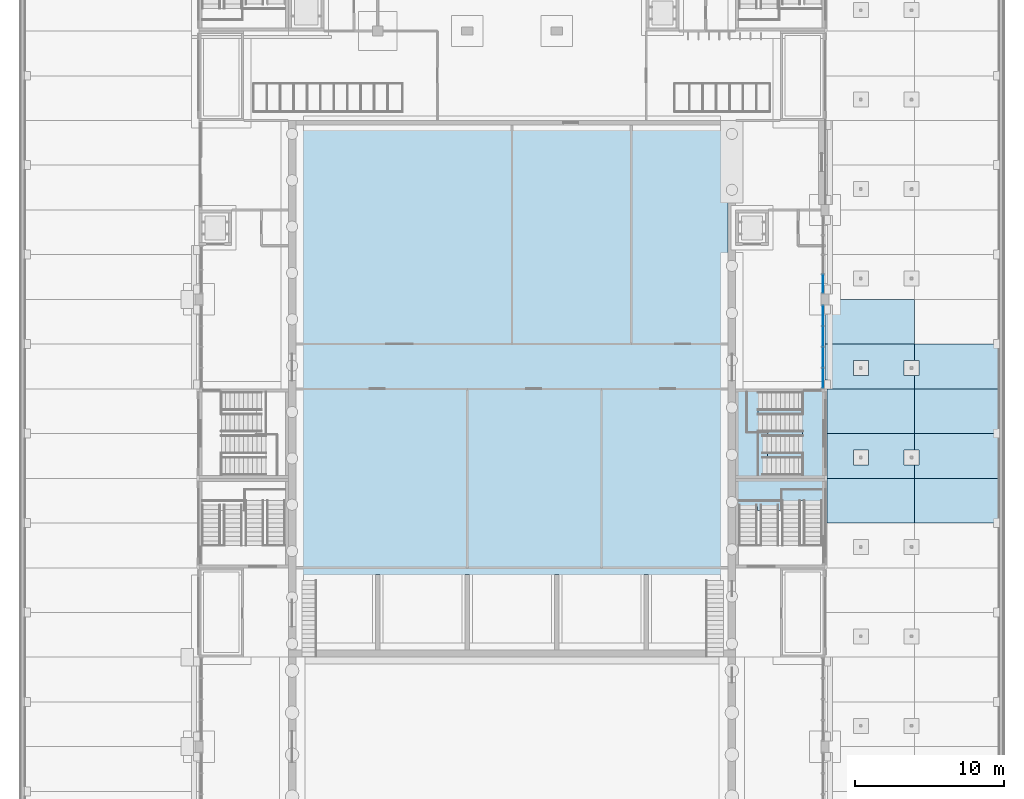
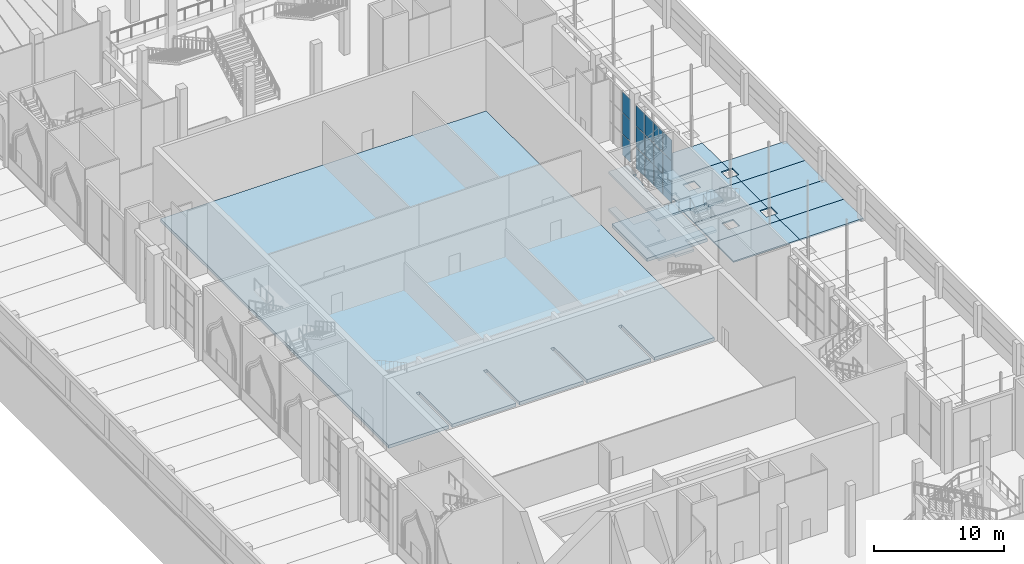
# One storey, part 34 of 95: 16 slabs, 15 plates, 4 elements without a shape of their own.
"""IFC4 building model written with IfcOpenShell, lengths in metres."""

import ifcopenshell
import ifcopenshell.guid

model = None  # the IFC model being written
_history = None  # IfcOwnerHistory: only IFC2X3 demands one
_inside = {}  # id of a spatial element -> (the spatial element, [elements in it])
_under = {}  # id of a project, library or spatial element -> (it, [spatial elements below it])
_declared = {}  # id of a project -> (the project, [libraries it declares])
_typed = {}  # id of a type object -> (the type object, [elements of that type])
_made_of = {}  # id of a material, layer set ... -> (it, [elements and type objects made of it])


def new_model(schema):
    """Start an empty IFC model of exactly this schema.

    Asked for "IFC4X3", IfcOpenShell would pick the latest addendum, in which some entities
    have other attributes; the version numbers below select the first issue.
    IFC2X3 requires an IfcOwnerHistory on every rooted entity: one is made here for all.
    """
    global model, _history
    if schema == "IFC4X3":
        model = ifcopenshell.file(schema_version=(4, 3, 0, 0))
    else:
        model = ifcopenshell.file(schema=schema)
    _inside.clear()
    _under.clear()
    _declared.clear()
    _typed.clear()
    _made_of.clear()
    _history = None
    if model.schema == "IFC2X3":
        org = make("IfcOrganization", Name="unknown")
        user = make(
            "IfcPersonAndOrganization",
            ThePerson=make("IfcPerson", FamilyName="unknown"),
            TheOrganization=org,
        )
        app = make(
            "IfcApplication",
            ApplicationDeveloper=org,
            Version="unknown",
            ApplicationFullName="unknown",
            ApplicationIdentifier="unknown",
        )
        _history = make(
            "IfcOwnerHistory",
            OwningUser=user,
            OwningApplication=app,
            ChangeAction="ADDED",
            CreationDate=0,
        )
    return model


def make(cls, **values):
    """One entity of the class cls with the attributes given. An attribute that is None is left unset."""
    return model.create_entity(
        cls, **{name: value for name, value in values.items() if value is not None}
    )


def rooted(cls, **values):
    """An entity with a GlobalId (a new one), such as an element, a storey or a relation."""
    return make(cls, GlobalId=ifcopenshell.guid.new(), OwnerHistory=_history, **values)


def si_unit(unit_type, name, prefix=None):
    """IfcSIUnit, for example si_unit("LENGTHUNIT", "METRE", prefix="MILLI")."""
    return make("IfcSIUnit", UnitType=unit_type, Prefix=prefix, Name=name)


def assignment(units):
    """IfcUnitAssignment: the units of a project."""
    return None if units is None else make("IfcUnitAssignment", Units=units)


def point(xyz):
    """IfcCartesianPoint."""
    return None if xyz is None else make("IfcCartesianPoint", Coordinates=xyz)


def direction(xyz):
    """IfcDirection."""
    return None if xyz is None else make("IfcDirection", DirectionRatios=xyz)


def frame(location, z_axis=None, x_axis=None):
    """IfcAxis2Placement3D, a coordinate frame: its origin and axes. An axis left out is left unset."""
    return make(
        "IfcAxis2Placement3D",
        Location=point(location),
        Axis=direction(z_axis),
        RefDirection=direction(x_axis),
    )


def frame_2d(location, x_axis=None):
    """IfcAxis2Placement2D, a coordinate frame in the plane: its origin and x axis."""
    return make(
        "IfcAxis2Placement2D", Location=point(location), RefDirection=direction(x_axis)
    )


def origin():
    """The frame at (0, 0, 0) with its axes left unset."""
    return frame((0.0, 0.0, 0.0))


def origin_2d():
    """The frame at (0, 0) in the plane with its x axis left unset."""
    return frame_2d((0.0, 0.0))


def place(relative_to, where):
    """IfcLocalPlacement: puts the frame where relative to a parent placement (None: the world)."""
    return make(
        "IfcLocalPlacement", PlacementRelTo=relative_to, RelativePlacement=where
    )


def context(
    kind, dimensions, precision=None, world=None, true_north=None, identifier=None
):
    """IfcGeometricRepresentationContext, for example the 3D "Model" context."""
    return make(
        "IfcGeometricRepresentationContext",
        ContextIdentifier=identifier,
        ContextType=kind,
        CoordinateSpaceDimension=dimensions,
        Precision=precision,
        WorldCoordinateSystem=world,
        TrueNorth=true_north,
    )


def subcontext(parent, identifier, kind, view, scale=None):
    """IfcGeometricRepresentationSubContext, for example "Body" below "Model"."""
    return make(
        "IfcGeometricRepresentationSubContext",
        ContextIdentifier=identifier,
        ContextType=kind,
        ParentContext=parent,
        TargetScale=scale,
        TargetView=view,
    )


def project(units=None, contexts=None):
    """IfcProject with its units and contexts."""
    return rooted(
        "IfcProject",
        Name="project",
        RepresentationContexts=contexts,
        UnitsInContext=assignment(units),
    )


def spatial(cls, under=None, at=None, **own):
    """A site, building, storey or space (cls), placed at a placement, below another one or the project."""
    s = rooted(cls, ObjectPlacement=at, **own)
    if under is not None:
        _under.setdefault(under.id(), (under, []))[1].append(s)
    return s


def polyline(points):
    """IfcPolyline through the points."""
    return make("IfcPolyline", Points=[point(p) for p in points])


def profile(cls, at=None, kind="AREA", **sizes):
    """A parametric profile (cls). Its sizes go by their IFC names, for example OverallWidth=200.0."""
    return make(cls, ProfileType=kind, Position=at, **sizes)


def rectangle(**sizes):
    """IfcRectangleProfileDef."""
    return profile("IfcRectangleProfileDef", **sizes)


def outline(outer, holes=None, kind="AREA"):
    """IfcArbitraryClosedProfileDef: a profile drawn as a closed curve; with holes, ...WithVoids."""
    if holes is None:
        return make("IfcArbitraryClosedProfileDef", ProfileType=kind, OuterCurve=outer)
    return make(
        "IfcArbitraryProfileDefWithVoids",
        ProfileType=kind,
        OuterCurve=outer,
        InnerCurves=holes,
    )


def extrude(swept, where, along, depth):
    """IfcExtrudedAreaSolid: the profile swept, set in the frame where, extruded along a direction by depth."""
    return make(
        "IfcExtrudedAreaSolid",
        SweptArea=swept,
        Position=where,
        ExtrudedDirection=direction(along),
        Depth=depth,
    )


def shape(context_of_items, identifier, shape_type, items):
    """IfcShapeRepresentation: the items that make up one representation, for example the "Body"."""
    return make(
        "IfcShapeRepresentation",
        ContextOfItems=context_of_items,
        RepresentationIdentifier=identifier,
        RepresentationType=shape_type,
        Items=items,
    )


def material(Name=None, Category=None):
    """IfcMaterial."""
    return make("IfcMaterial", Name=Name, Category=Category)


def layer(
    of_material, thickness, ventilated=None, Name=None, Category=None, Priority=None
):
    """IfcMaterialLayer: one layer of a wall or slab, of a material (None: an air gap)."""
    return make(
        "IfcMaterialLayer",
        Material=of_material,
        LayerThickness=thickness,
        IsVentilated=ventilated,
        Name=Name,
        Category=Category,
        Priority=Priority,
    )


def layer_set(layers, Name=None):
    """IfcMaterialLayerSet."""
    return make("IfcMaterialLayerSet", MaterialLayers=layers, LayerSetName=Name)


def made_of(thing, what):
    """Note that an element or type object is made of a material, layer set ...; save() writes the relation."""
    if what is not None:
        _made_of.setdefault(what.id(), (what, []))[1].append(thing)
    return thing


def type_object(cls, material=None, **own):
    """A type object (cls), such as IfcWallType, which elements share."""
    return made_of(rooted(cls, **own), material)


def element(
    cls,
    number,
    at=None,
    inside=None,
    cuts=None,
    type_object=None,
    material=None,
    context=None,
    identifier="Body",
    shape_type=None,
    held_by="IfcProductDefinitionShape",
    body=None,
    shapes=None,
    **own,
):
    """One element of the class cls, such as IfcWall. Its Tag is "e" and its number.

    at: its placement. inside: the storey or other place that contains it. cuts: it is an
    opening in that element (IfcRelVoidsElement). A single representation is given by context,
    identifier, shape_type and body (its items); several are given by shapes. held_by: the class
    of the entity that holds the representations. save() writes the other relations.
    """
    e = rooted(cls, Tag="e%d" % number, ObjectPlacement=at, **own)
    if body is not None:
        shapes = [shape(context, identifier, shape_type, body)]
    if shapes is not None:
        e.Representation = make(held_by, Representations=shapes)
    if inside is not None:
        _inside.setdefault(inside.id(), (inside, []))[1].append(e)
    if cuts is not None:
        rooted(
            "IfcRelVoidsElement", RelatingBuildingElement=cuts, RelatedOpeningElement=e
        )
    if type_object is not None:
        _typed.setdefault(type_object.id(), (type_object, []))[1].append(e)
    return made_of(e, material)


def aggregate(whole, parts):
    """IfcRelAggregates: a whole, such as a stair, and the parts it consists of."""
    return rooted("IfcRelAggregates", RelatingObject=whole, RelatedObjects=parts)


def save(model, path):
    """Write the relations noted so far, then the file.

    IfcRelAggregates (storeys below a building ...), IfcRelContainedInSpatialStructure (elements
    in a storey), IfcRelDefinesByType, IfcRelAssociatesMaterial and IfcRelDeclares: one each for
    every whole, place, type object, material and project.
    """
    for whole, parts in _under.values():
        aggregate(whole, parts)
    for where, things in _inside.values():
        rooted(
            "IfcRelContainedInSpatialStructure",
            RelatedElements=things,
            RelatingStructure=where,
        )
    for kind, things in _typed.values():
        rooted("IfcRelDefinesByType", RelatedObjects=things, RelatingType=kind)
    for what, things in _made_of.values():
        rooted("IfcRelAssociatesMaterial", RelatedObjects=things, RelatingMaterial=what)
    for by, libraries in _declared.values():
        rooted("IfcRelDeclares", RelatingContext=by, RelatedDefinitions=libraries)
    model.write(path)


model = new_model("IFC4")

# Units and contexts
model_context = context("Model", 3, precision=1e-05, world=origin(), true_north=direction((0.0, 1.0)))
body_context = subcontext(model_context, "Body", "Model", "MODEL_VIEW")
ifc_project = project(units=[si_unit("LENGTHUNIT", "METRE"), si_unit("AREAUNIT", "SQUARE_METRE"), si_unit("VOLUMEUNIT", "CUBIC_METRE"), si_unit("PLANEANGLEUNIT", "RADIAN"), si_unit("MASSUNIT", "GRAM", prefix="KILO")], contexts=[model_context])

# Site, building, storey
site_placement = place(None, origin())
site = spatial("IfcSite", under=ifc_project, at=site_placement, CompositionType="ELEMENT")
building_placement = place(site_placement, origin())
building = spatial("IfcBuilding", under=site, at=building_placement, Name="Saffron Lane Theatres", CompositionType="ELEMENT")
storey_placement = place(building_placement, origin())
storey = spatial("IfcBuildingStorey", under=building, at=storey_placement, Name="L00", CompositionType="ELEMENT", Elevation=0.0)

# Curtain wall, plates
ifc_material_1 = material(Name="Aluminium", Category="aluminium")
curtain_wall_type_1 = type_object("IfcCurtainWallType", Name="EX-CURTAIN WALL 5250x6050x200", PredefinedType="NOTDEFINED", material=ifc_material_1)
curtain_wall_1_placement = place(storey_placement, origin())
curtain_wall_1 = element("IfcCurtainWall", 1, at=curtain_wall_1_placement, inside=storey, type_object=curtain_wall_type_1, Name="Curtain wall L00 05", PredefinedType="NOTDEFINED")
ifc_material_2 = material(Name="Glass", Category="glass")
ifc_layer_1 = layer(ifc_material_2, 0.031982421875)
ifc_layer_set_1 = layer_set([ifc_layer_1], Name="Glass")
plate_type = type_object("IfcPlateType", Name="EX-CW PANEL GLAZING 32", PredefinedType="CURTAIN_PANEL", material=ifc_layer_set_1)
plate_1_placement = place(storey_placement, frame((53.85009765625, 79.046142578125, 0.06005859375), z_axis=(0.0, 0.0, 1.0), x_axis=(0.0, -1.0, 0.0)))
plate_1 = element("IfcPlate", 2, at=plate_1_placement, type_object=plate_type, Name="CW-00-05 panel 4.1", PredefinedType="CURTAIN_PANEL", context=body_context, shape_type="SweptSolid", body=[
    extrude(rectangle(XDim=1.222412109375, YDim=0.031982421875, at=origin_2d()), origin(), (0.0, 0.0, 1.0), 1.926513671875),
])
plate_2_placement = place(storey_placement, frame((53.85009765625, 79.046142578125, 2.04638671875), z_axis=(0.0, 0.0, 1.0), x_axis=(0.0, -1.0, 0.0)))
plate_2 = element("IfcPlate", 3, at=plate_2_placement, type_object=plate_type, Name="CW-00-05 panel 4.2", PredefinedType="CURTAIN_PANEL", context=body_context, shape_type="SweptSolid", body=[
    extrude(rectangle(XDim=1.222412109375, YDim=0.031982421875, at=origin_2d()), origin(), (0.0, 0.0, 1.0), 1.956787109375),
])
plate_3_placement = place(storey_placement, frame((53.85009765625, 79.046142578125, 4.0634765625), z_axis=(0.0, 0.0, 1.0), x_axis=(0.0, -1.0, 0.0)))
plate_3 = element("IfcPlate", 4, at=plate_3_placement, type_object=plate_type, Name="CW-00-05 panel 4.3", PredefinedType="CURTAIN_PANEL", context=body_context, shape_type="SweptSolid", body=[
    extrude(rectangle(XDim=1.222412109375, YDim=0.031982421875, at=origin_2d()), origin(), (0.0, 0.0, 1.0), 1.926513671875),
])
aggregate(curtain_wall_1, [plate_1, plate_2, plate_3])

ifc_material_3 = material(Name="Aluminium", Category="aluminium")
curtain_wall_type_2 = type_object("IfcCurtainWallType", Name="EX-CURTAIN WALL 5620x6050x200", PredefinedType="NOTDEFINED", material=ifc_material_3)
curtain_wall_2_placement = place(storey_placement, origin())
curtain_wall_2 = element("IfcCurtainWall", 5, at=curtain_wall_2_placement, inside=storey, type_object=curtain_wall_type_2, Name="Curtain wall L00 06", PredefinedType="NOTDEFINED")
plate_4_placement = place(storey_placement, frame((53.85009765625, 76.906982421875, 0.06005859375), z_axis=(0.0, 0.0, 1.0), x_axis=(0.0, -1.0, 0.0)))
plate_4 = element("IfcPlate", 6, at=plate_4_placement, type_object=plate_type, Name="CW-00-06 panel 1.1", PredefinedType="CURTAIN_PANEL", context=body_context, shape_type="SweptSolid", body=[
    extrude(rectangle(XDim=1.316162109375, YDim=0.031982421875, at=origin_2d()), origin(), (0.0, 0.0, 1.0), 1.926513671875),
])
plate_5_placement = place(storey_placement, frame((53.85009765625, 76.906982421875, 2.04638671875), z_axis=(0.0, 0.0, 1.0), x_axis=(0.0, -1.0, 0.0)))
plate_5 = element("IfcPlate", 7, at=plate_5_placement, type_object=plate_type, Name="CW-00-06 panel 1.2", PredefinedType="CURTAIN_PANEL", context=body_context, shape_type="SweptSolid", body=[
    extrude(rectangle(XDim=1.316162109375, YDim=0.031982421875, at=origin_2d()), origin(), (0.0, 0.0, 1.0), 1.956787109375),
])
plate_6_placement = place(storey_placement, frame((53.85009765625, 76.906982421875, 4.0634765625), z_axis=(0.0, 0.0, 1.0), x_axis=(0.0, -1.0, 0.0)))
plate_6 = element("IfcPlate", 8, at=plate_6_placement, type_object=plate_type, Name="CW-00-06 panel 1.3", PredefinedType="CURTAIN_PANEL", context=body_context, shape_type="SweptSolid", body=[
    extrude(rectangle(XDim=1.316162109375, YDim=0.031982421875, at=origin_2d()), origin(), (0.0, 0.0, 1.0), 1.926513671875),
])
plate_7_placement = place(storey_placement, frame((53.85009765625, 75.515625, 0.06005859375), z_axis=(0.0, 0.0, 1.0), x_axis=(0.0, -1.0, 0.0)))
plate_7 = element("IfcPlate", 9, at=plate_7_placement, type_object=plate_type, Name="CW-00-06 panel 2.1", PredefinedType="CURTAIN_PANEL", context=body_context, shape_type="SweptSolid", body=[
    extrude(rectangle(XDim=1.34619140625, YDim=0.031982421875, at=origin_2d()), origin(), (0.0, 0.0, 1.0), 1.926513671875),
])
plate_8_placement = place(storey_placement, frame((53.85009765625, 75.515625, 2.04638671875), z_axis=(0.0, 0.0, 1.0), x_axis=(0.0, -1.0, 0.0)))
plate_8 = element("IfcPlate", 10, at=plate_8_placement, type_object=plate_type, Name="CW-00-06 panel 2.2", PredefinedType="CURTAIN_PANEL", context=body_context, shape_type="SweptSolid", body=[
    extrude(rectangle(XDim=1.34619140625, YDim=0.031982421875, at=origin_2d()), origin(), (0.0, 0.0, 1.0), 1.956787109375),
])
plate_9_placement = place(storey_placement, frame((53.85009765625, 75.515625, 4.0634765625), z_axis=(0.0, 0.0, 1.0), x_axis=(0.0, -1.0, 0.0)))
plate_9 = element("IfcPlate", 11, at=plate_9_placement, type_object=plate_type, Name="CW-00-06 panel 2.3", PredefinedType="CURTAIN_PANEL", context=body_context, shape_type="SweptSolid", body=[
    extrude(rectangle(XDim=1.34619140625, YDim=0.031982421875, at=origin_2d()), origin(), (0.0, 0.0, 1.0), 1.926513671875),
])
plate_10_placement = place(storey_placement, frame((53.85009765625, 74.109375, 0.06005859375), z_axis=(0.0, 0.0, 1.0), x_axis=(0.0, -1.0, 0.0)))
plate_10 = element("IfcPlate", 12, at=plate_10_placement, type_object=plate_type, Name="CW-00-06 panel 3.1", PredefinedType="CURTAIN_PANEL", context=body_context, shape_type="SweptSolid", body=[
    extrude(rectangle(XDim=1.34619140625, YDim=0.031982421875, at=origin_2d()), origin(), (0.0, 0.0, 1.0), 1.926513671875),
])
plate_11_placement = place(storey_placement, frame((53.85009765625, 74.109375, 2.04638671875), z_axis=(0.0, 0.0, 1.0), x_axis=(0.0, -1.0, 0.0)))
plate_11 = element("IfcPlate", 13, at=plate_11_placement, type_object=plate_type, Name="CW-00-06 panel 3.2", PredefinedType="CURTAIN_PANEL", context=body_context, shape_type="SweptSolid", body=[
    extrude(rectangle(XDim=1.34619140625, YDim=0.031982421875, at=origin_2d()), origin(), (0.0, 0.0, 1.0), 1.956787109375),
])
plate_12_placement = place(storey_placement, frame((53.85009765625, 74.109375, 4.0634765625), z_axis=(0.0, 0.0, 1.0), x_axis=(0.0, -1.0, 0.0)))
plate_12 = element("IfcPlate", 14, at=plate_12_placement, type_object=plate_type, Name="CW-00-06 panel 3.3", PredefinedType="CURTAIN_PANEL", context=body_context, shape_type="SweptSolid", body=[
    extrude(rectangle(XDim=1.34619140625, YDim=0.031982421875, at=origin_2d()), origin(), (0.0, 0.0, 1.0), 1.926513671875),
])
plate_13_placement = place(storey_placement, frame((53.85009765625, 72.718017578125, 0.06005859375), z_axis=(0.0, 0.0, 1.0), x_axis=(0.0, -1.0, 0.0)))
plate_13 = element("IfcPlate", 15, at=plate_13_placement, type_object=plate_type, Name="CW-00-06 panel 4.1", PredefinedType="CURTAIN_PANEL", context=body_context, shape_type="SweptSolid", body=[
    extrude(rectangle(XDim=1.316162109375, YDim=0.031982421875, at=origin_2d()), origin(), (0.0, 0.0, 1.0), 1.926513671875),
])
plate_14_placement = place(storey_placement, frame((53.85009765625, 72.718017578125, 2.04638671875), z_axis=(0.0, 0.0, 1.0), x_axis=(0.0, -1.0, 0.0)))
plate_14 = element("IfcPlate", 16, at=plate_14_placement, type_object=plate_type, Name="CW-00-06 panel 4.2", PredefinedType="CURTAIN_PANEL", context=body_context, shape_type="SweptSolid", body=[
    extrude(rectangle(XDim=1.316162109375, YDim=0.031982421875, at=origin_2d()), origin(), (0.0, 0.0, 1.0), 1.956787109375),
])
plate_15_placement = place(storey_placement, frame((53.85009765625, 72.718017578125, 4.0634765625), z_axis=(0.0, 0.0, 1.0), x_axis=(0.0, -1.0, 0.0)))
plate_15 = element("IfcPlate", 17, at=plate_15_placement, type_object=plate_type, Name="CW-00-06 panel 4.3", PredefinedType="CURTAIN_PANEL", context=body_context, shape_type="SweptSolid", body=[
    extrude(rectangle(XDim=1.316162109375, YDim=0.031982421875, at=origin_2d()), origin(), (0.0, 0.0, 1.0), 1.926513671875),
])
aggregate(curtain_wall_2, [plate_4, plate_5, plate_6, plate_7, plate_8, plate_9, plate_10, plate_11, plate_12, plate_13, plate_14, plate_15])

# Slabs
ifc_material_4 = material(Name="Masonry bluestone paving", Category="masonry")
ifc_layer_2 = layer(ifc_material_4, 0.1201171875)
ifc_layer_set_2 = layer_set([ifc_layer_2], Name="Masonry bluestone paving")
slab_type_1 = type_object("IfcSlabType", Name="EX-PAVING BLUESTONE 120", PredefinedType="USERDEFINED", material=ifc_layer_set_2)
slab_1_placement = place(storey_placement, frame((0.0, 0.0, -0.1201171875)))
element("IfcSlab", 18, at=slab_1_placement, inside=storey, type_object=slab_type_1, Name="Saffron Lane passage paving 12", ObjectType="PAVING", PredefinedType="USERDEFINED", context=body_context, shape_type="SweptSolid", body=[
    extrude(outline(polyline([(60.0, 63.0), (60.0, 66.0), (54.1201171875, 66.0), (54.1201171875, 63.0), (60.0, 63.0)])), origin(), (0.0, 0.0, 1.0), 0.1201171875),
])
slab_2_placement = place(storey_placement, frame((0.0, 0.0, -0.1201171875)))
element("IfcSlab", 19, at=slab_2_placement, inside=storey, type_object=slab_type_1, Name="Saffron Lane passage paving 14", ObjectType="PAVING", PredefinedType="USERDEFINED", context=body_context, shape_type="SweptSolid", body=[
    extrude(outline(polyline([(60.0, 69.0), (60.0, 72.0), (54.35400390625, 72.0), (54.35400390625, 71.99951171875), (54.35400390625, 71.999267578125), (54.353759765625, 71.998779296875), (54.353759765625, 71.99853515625), (54.353515625, 71.998046875), (54.353271484375, 71.997802734375), (54.35302734375, 71.99755859375), (54.352783203125, 71.9970703125), (54.3525390625, 71.996826171875), (54.352294921875, 71.99658203125), (54.351806640625, 71.99658203125), (54.3515625, 71.996337890625), (54.35107421875, 71.99609375), (54.350830078125, 71.99609375), (54.350341796875, 71.99609375), (54.35009765625, 71.99609375), (54.1201171875, 71.99609375), (54.1201171875, 69.0), (60.0, 69.0)])), origin(), (0.0, 0.0, 1.0), 0.1201171875),
])
slab_3_placement = place(storey_placement, frame((0.0, 0.0, -0.1201171875)))
element("IfcSlab", 20, at=slab_3_placement, inside=storey, type_object=slab_type_1, Name="Saffron Lane passage paving 16", ObjectType="PAVING", PredefinedType="USERDEFINED", context=body_context, shape_type="SweptSolid", body=[
    extrude(outline(polyline([(60.0, 75.0), (60.0, 78.0), (54.279052734375, 78.0), (54.279052734375, 77.62890625), (54.35009765625, 77.62890625), (54.350341796875, 77.62890625), (54.350830078125, 77.62890625), (54.35107421875, 77.62890625), (54.3515625, 77.628662109375), (54.351806640625, 77.62841796875), (54.352294921875, 77.62841796875), (54.3525390625, 77.628173828125), (54.352783203125, 77.6279296875), (54.35302734375, 77.62744140625), (54.353271484375, 77.627197265625), (54.353515625, 77.626953125), (54.353759765625, 77.62646484375), (54.353759765625, 77.626220703125), (54.35400390625, 77.625732421875), (54.35400390625, 77.62548828125), (54.35400390625, 77.625), (54.35400390625, 77.02490234375), (54.35400390625, 77.024658203125), (54.35400390625, 77.024169921875), (54.353759765625, 77.02392578125), (54.353759765625, 77.0234375), (54.353515625, 77.023193359375), (54.353271484375, 77.022705078125), (54.35302734375, 77.0224609375), (54.352783203125, 77.022216796875), (54.3525390625, 77.02197265625), (54.352294921875, 77.021728515625), (54.351806640625, 77.021484375), (54.3515625, 77.021240234375), (54.35107421875, 77.021240234375), (54.350830078125, 77.02099609375), (54.350341796875, 77.02099609375), (54.35009765625, 77.02099609375), (54.00390625, 77.02099609375), (54.00390625, 75.0), (60.0, 75.0)])), origin(), (0.0, 0.0, 1.0), 0.1201171875),
])
ifc_material_5 = material(Name="Masonry bluestone paving", Category="masonry")
ifc_layer_3 = layer(ifc_material_5, 0.14990234375)
ifc_layer_set_3 = layer_set([ifc_layer_3], Name="Masonry bluestone paving")
slab_type_2 = type_object("IfcSlabType", Name="EX-PAVING BLUESTONE 150", PredefinedType="USERDEFINED", material=ifc_layer_set_3)
slab_4_placement = place(storey_placement, frame((0.0, 0.0, -0.14990234375)))
element("IfcSlab", 21, at=slab_4_placement, inside=storey, type_object=slab_type_2, Name="East court paving 23", ObjectType="PAVING", PredefinedType="USERDEFINED", context=body_context, shape_type="SweptSolid", body=[
    extrude(outline(polyline([(60.0, 66.0), (60.0, 63.0), (65.68603515625, 63.0), (65.68603515625, 66.0), (60.0, 66.0)])), origin(), (0.0, 0.0, 1.0), 0.14990234375),
])
slab_5_placement = place(storey_placement, frame((0.0, 0.0, -0.14990234375)))
element("IfcSlab", 22, at=slab_5_placement, inside=storey, type_object=slab_type_2, Name="East court paving 27", ObjectType="PAVING", PredefinedType="USERDEFINED", context=body_context, shape_type="SweptSolid", body=[
    extrude(outline(polyline([(60.0, 72.0), (60.0, 69.0), (65.68603515625, 69.0), (65.68603515625, 72.0), (60.0, 72.0)])), origin(), (0.0, 0.0, 1.0), 0.14990234375),
])
ifc_material_6 = material(Name="Masonry sandstone paving", Category="masonry")
ifc_layer_4 = layer(ifc_material_6, 0.1201171875)
ifc_layer_set_4 = layer_set([ifc_layer_4], Name="Masonry sandstone paving")
slab_type_3 = type_object("IfcSlabType", Name="EX-PAVING SANDSTONE 120", PredefinedType="USERDEFINED", material=ifc_layer_set_4)
slab_6_placement = place(storey_placement, frame((0.0, 0.0, -0.1201171875)))
element("IfcSlab", 23, at=slab_6_placement, inside=storey, type_object=slab_type_3, Name="Saffron Lane passage paving 13", ObjectType="PAVING", PredefinedType="USERDEFINED", context=body_context, shape_type="SweptSolid", body=[
    extrude(outline(polyline([(60.0, 67.904052734375), (60.0, 69.0), (54.1201171875, 69.0), (54.1201171875, 66.0), (60.0, 66.0), (60.0, 66.89599609375), (59.300048828125, 66.89599609375), (59.299560546875, 66.89599609375), (59.29931640625, 66.89599609375), (59.298828125, 66.896240234375), (59.298583984375, 66.896240234375), (59.298095703125, 66.896484375), (59.2978515625, 66.896728515625), (59.29736328125, 66.89697265625), (59.297119140625, 66.897216796875), (59.296875, 66.8974609375), (59.296630859375, 66.897705078125), (59.29638671875, 66.898193359375), (59.29638671875, 66.8984375), (59.296142578125, 66.89892578125), (59.296142578125, 66.899169921875), (59.2958984375, 66.899658203125), (59.2958984375, 66.89990234375), (59.2958984375, 67.89990234375), (59.2958984375, 67.900390625), (59.296142578125, 67.90087890625), (59.296142578125, 67.901123046875), (59.29638671875, 67.901611328125), (59.29638671875, 67.90185546875), (59.296630859375, 67.90234375), (59.296875, 67.902587890625), (59.297119140625, 67.90283203125), (59.29736328125, 67.903076171875), (59.2978515625, 67.9033203125), (59.298095703125, 67.903564453125), (59.298583984375, 67.90380859375), (59.298828125, 67.90380859375), (59.29931640625, 67.90380859375), (59.299560546875, 67.904052734375), (59.300048828125, 67.904052734375), (60.0, 67.904052734375)]), holes=[polyline([(55.89599609375, 67.90087890625), (55.896240234375, 67.901123046875), (55.896240234375, 67.901611328125), (55.896484375, 67.90185546875), (55.896728515625, 67.90234375), (55.89697265625, 67.902587890625), (55.897216796875, 67.90283203125), (55.8974609375, 67.903076171875), (55.897705078125, 67.9033203125), (55.898193359375, 67.903564453125), (55.8984375, 67.90380859375), (55.89892578125, 67.90380859375), (55.899169921875, 67.90380859375), (55.899658203125, 67.904052734375), (55.89990234375, 67.904052734375), (56.89990234375, 67.904052734375), (56.900390625, 67.904052734375), (56.90087890625, 67.90380859375), (56.901123046875, 67.90380859375), (56.901611328125, 67.90380859375), (56.90185546875, 67.903564453125), (56.90234375, 67.9033203125), (56.902587890625, 67.903076171875), (56.90283203125, 67.90283203125), (56.903076171875, 67.902587890625), (56.9033203125, 67.90234375), (56.903564453125, 67.90185546875), (56.90380859375, 67.901611328125), (56.90380859375, 67.901123046875), (56.90380859375, 67.90087890625), (56.904052734375, 67.900390625), (56.904052734375, 67.89990234375), (56.904052734375, 66.89990234375), (56.904052734375, 66.899658203125), (56.90380859375, 66.899169921875), (56.90380859375, 66.89892578125), (56.90380859375, 66.8984375), (56.903564453125, 66.898193359375), (56.9033203125, 66.897705078125), (56.903076171875, 66.8974609375), (56.90283203125, 66.897216796875), (56.902587890625, 66.89697265625), (56.90234375, 66.896728515625), (56.90185546875, 66.896484375), (56.901611328125, 66.896240234375), (56.901123046875, 66.896240234375), (56.90087890625, 66.89599609375), (56.900390625, 66.89599609375), (56.89990234375, 66.89599609375), (55.89990234375, 66.89599609375), (55.899658203125, 66.89599609375), (55.899169921875, 66.89599609375), (55.89892578125, 66.896240234375), (55.8984375, 66.896240234375), (55.898193359375, 66.896484375), (55.897705078125, 66.896728515625), (55.8974609375, 66.89697265625), (55.897216796875, 66.897216796875), (55.89697265625, 66.8974609375), (55.896728515625, 66.897705078125), (55.896484375, 66.898193359375), (55.896240234375, 66.8984375), (55.896240234375, 66.89892578125), (55.89599609375, 66.899169921875), (55.89599609375, 66.899658203125), (55.89599609375, 66.89990234375), (55.89599609375, 67.89990234375), (55.89599609375, 67.900390625), (55.89599609375, 67.90087890625)])]), origin(), (0.0, 0.0, 1.0), 0.1201171875),
])
slab_7_placement = place(storey_placement, frame((0.0, 0.0, -0.1201171875)))
element("IfcSlab", 24, at=slab_7_placement, inside=storey, type_object=slab_type_3, Name="Saffron Lane passage paving 15", ObjectType="PAVING", PredefinedType="USERDEFINED", context=body_context, shape_type="SweptSolid", body=[
    extrude(outline(polyline([(60.0, 73.904052734375), (60.0, 75.0), (54.00390625, 75.0), (54.00390625, 72.60400390625), (54.35009765625, 72.60400390625), (54.350341796875, 72.60400390625), (54.350830078125, 72.60400390625), (54.35107421875, 72.603759765625), (54.3515625, 72.603759765625), (54.351806640625, 72.603515625), (54.352294921875, 72.603271484375), (54.3525390625, 72.60302734375), (54.352783203125, 72.602783203125), (54.35302734375, 72.6025390625), (54.353271484375, 72.602294921875), (54.353515625, 72.601806640625), (54.353759765625, 72.6015625), (54.353759765625, 72.60107421875), (54.35400390625, 72.600830078125), (54.35400390625, 72.600341796875), (54.35400390625, 72.60009765625), (54.35400390625, 72.0), (60.0, 72.0), (60.0, 72.89599609375), (59.300048828125, 72.89599609375), (59.299560546875, 72.89599609375), (59.29931640625, 72.89599609375), (59.298828125, 72.896240234375), (59.298583984375, 72.896240234375), (59.298095703125, 72.896484375), (59.2978515625, 72.896728515625), (59.29736328125, 72.89697265625), (59.297119140625, 72.897216796875), (59.296875, 72.8974609375), (59.296630859375, 72.897705078125), (59.29638671875, 72.898193359375), (59.29638671875, 72.8984375), (59.296142578125, 72.89892578125), (59.296142578125, 72.899169921875), (59.2958984375, 72.899658203125), (59.2958984375, 72.89990234375), (59.2958984375, 73.89990234375), (59.2958984375, 73.900390625), (59.296142578125, 73.90087890625), (59.296142578125, 73.901123046875), (59.29638671875, 73.901611328125), (59.29638671875, 73.90185546875), (59.296630859375, 73.90234375), (59.296875, 73.902587890625), (59.297119140625, 73.90283203125), (59.29736328125, 73.903076171875), (59.2978515625, 73.9033203125), (59.298095703125, 73.903564453125), (59.298583984375, 73.90380859375), (59.298828125, 73.90380859375), (59.29931640625, 73.90380859375), (59.299560546875, 73.904052734375), (59.300048828125, 73.904052734375), (60.0, 73.904052734375)]), holes=[polyline([(55.89599609375, 73.90087890625), (55.896240234375, 73.901123046875), (55.896240234375, 73.901611328125), (55.896484375, 73.90185546875), (55.896728515625, 73.90234375), (55.89697265625, 73.902587890625), (55.897216796875, 73.90283203125), (55.8974609375, 73.903076171875), (55.897705078125, 73.9033203125), (55.898193359375, 73.903564453125), (55.8984375, 73.90380859375), (55.89892578125, 73.90380859375), (55.899169921875, 73.90380859375), (55.899658203125, 73.904052734375), (55.89990234375, 73.904052734375), (56.89990234375, 73.904052734375), (56.900390625, 73.904052734375), (56.90087890625, 73.90380859375), (56.901123046875, 73.90380859375), (56.901611328125, 73.90380859375), (56.90185546875, 73.903564453125), (56.90234375, 73.9033203125), (56.902587890625, 73.903076171875), (56.90283203125, 73.90283203125), (56.903076171875, 73.902587890625), (56.9033203125, 73.90234375), (56.903564453125, 73.90185546875), (56.90380859375, 73.901611328125), (56.90380859375, 73.901123046875), (56.90380859375, 73.90087890625), (56.904052734375, 73.900390625), (56.904052734375, 73.89990234375), (56.904052734375, 72.89990234375), (56.904052734375, 72.899658203125), (56.90380859375, 72.899169921875), (56.90380859375, 72.89892578125), (56.90380859375, 72.8984375), (56.903564453125, 72.898193359375), (56.9033203125, 72.897705078125), (56.903076171875, 72.8974609375), (56.90283203125, 72.897216796875), (56.902587890625, 72.89697265625), (56.90234375, 72.896728515625), (56.90185546875, 72.896484375), (56.901611328125, 72.896240234375), (56.901123046875, 72.896240234375), (56.90087890625, 72.89599609375), (56.900390625, 72.89599609375), (56.89990234375, 72.89599609375), (55.89990234375, 72.89599609375), (55.899658203125, 72.89599609375), (55.899169921875, 72.89599609375), (55.89892578125, 72.896240234375), (55.8984375, 72.896240234375), (55.898193359375, 72.896484375), (55.897705078125, 72.896728515625), (55.8974609375, 72.89697265625), (55.897216796875, 72.897216796875), (55.89697265625, 72.8974609375), (55.896728515625, 72.897705078125), (55.896484375, 72.898193359375), (55.896240234375, 72.8984375), (55.896240234375, 72.89892578125), (55.89599609375, 72.899169921875), (55.89599609375, 72.899658203125), (55.89599609375, 72.89990234375), (55.89599609375, 73.89990234375), (55.89599609375, 73.900390625), (55.89599609375, 73.90087890625)])]), origin(), (0.0, 0.0, 1.0), 0.1201171875),
])
ifc_material_7 = material(Name="Masonry sandstone paving", Category="masonry")
ifc_layer_5 = layer(ifc_material_7, 0.14990234375)
ifc_layer_set_5 = layer_set([ifc_layer_5], Name="Masonry sandstone paving")
slab_type_4 = type_object("IfcSlabType", Name="EX-PAVING SANDSTONE 150", PredefinedType="USERDEFINED", material=ifc_layer_set_5)
slab_8_placement = place(storey_placement, frame((0.0, 0.0, -0.14990234375)))
element("IfcSlab", 25, at=slab_8_placement, inside=storey, type_object=slab_type_4, Name="East court paving 25", ObjectType="PAVING", PredefinedType="USERDEFINED", context=body_context, shape_type="SweptSolid", body=[
    extrude(outline(polyline([(60.0, 66.89599609375), (60.0, 66.0), (65.68603515625, 66.0), (65.68603515625, 69.0), (60.0, 69.0), (60.0, 67.904052734375), (60.300048828125, 67.904052734375), (60.30029296875, 67.904052734375), (60.30078125, 67.90380859375), (60.30126953125, 67.90380859375), (60.301513671875, 67.90380859375), (60.302001953125, 67.903564453125), (60.30224609375, 67.9033203125), (60.302490234375, 67.903076171875), (60.302734375, 67.90283203125), (60.302978515625, 67.902587890625), (60.30322265625, 67.90234375), (60.303466796875, 67.90185546875), (60.3037109375, 67.901611328125), (60.3037109375, 67.901123046875), (60.303955078125, 67.90087890625), (60.303955078125, 67.900390625), (60.303955078125, 67.89990234375), (60.303955078125, 66.89990234375), (60.303955078125, 66.899658203125), (60.303955078125, 66.899169921875), (60.3037109375, 66.89892578125), (60.3037109375, 66.8984375), (60.303466796875, 66.898193359375), (60.30322265625, 66.897705078125), (60.302978515625, 66.8974609375), (60.302734375, 66.897216796875), (60.302490234375, 66.89697265625), (60.30224609375, 66.896728515625), (60.302001953125, 66.896484375), (60.301513671875, 66.896240234375), (60.30126953125, 66.896240234375), (60.30078125, 66.89599609375), (60.30029296875, 66.89599609375), (60.300048828125, 66.89599609375), (60.0, 66.89599609375)])), origin(), (0.0, 0.0, 1.0), 0.14990234375),
])
slab_9_placement = place(storey_placement, frame((0.0, 0.0, -0.14990234375)))
element("IfcSlab", 26, at=slab_9_placement, inside=storey, type_object=slab_type_4, Name="East court paving 29", ObjectType="PAVING", PredefinedType="USERDEFINED", context=body_context, shape_type="SweptSolid", body=[
    extrude(outline(polyline([(60.0, 72.89599609375), (60.0, 72.0), (65.68603515625, 72.0), (65.68603515625, 75.0), (60.0, 75.0), (60.0, 73.904052734375), (60.300048828125, 73.904052734375), (60.30029296875, 73.904052734375), (60.30078125, 73.90380859375), (60.30126953125, 73.90380859375), (60.301513671875, 73.90380859375), (60.302001953125, 73.903564453125), (60.30224609375, 73.9033203125), (60.302490234375, 73.903076171875), (60.302734375, 73.90283203125), (60.302978515625, 73.902587890625), (60.30322265625, 73.90234375), (60.303466796875, 73.90185546875), (60.3037109375, 73.901611328125), (60.3037109375, 73.901123046875), (60.303955078125, 73.90087890625), (60.303955078125, 73.900390625), (60.303955078125, 73.89990234375), (60.303955078125, 72.89990234375), (60.303955078125, 72.899658203125), (60.303955078125, 72.899169921875), (60.3037109375, 72.89892578125), (60.3037109375, 72.8984375), (60.303466796875, 72.898193359375), (60.30322265625, 72.897705078125), (60.302978515625, 72.8974609375), (60.302734375, 72.897216796875), (60.302490234375, 72.89697265625), (60.30224609375, 72.896728515625), (60.302001953125, 72.896484375), (60.301513671875, 72.896240234375), (60.30126953125, 72.896240234375), (60.30078125, 72.89599609375), (60.30029296875, 72.89599609375), (60.300048828125, 72.89599609375), (60.0, 72.89599609375)])), origin(), (0.0, 0.0, 1.0), 0.14990234375),
])
ifc_material_8 = material(Name="Concrete N40 (40 MPa)", Category="concrete")
ifc_layer_6 = layer(ifc_material_8, 0.300048828125)
ifc_layer_set_6 = layer_set([ifc_layer_6], Name="Concrete N40 (40 MPa)")
slab_type_5 = type_object("IfcSlabType", Name="RC-SLAB BASE 300", PredefinedType="BASESLAB", material=ifc_layer_set_6)
slab_10_placement = place(storey_placement, origin())
element("IfcSlab", 27, at=slab_10_placement, inside=storey, type_object=slab_type_5, Name="slab-L00-AUD-3", PredefinedType="BASESLAB", context=body_context, shape_type="SweptSolid", body=[
    extrude(outline(polyline([(47.5, 89.699951171875), (18.5, 89.699951171875), (18.5, 54.5), (23.85009765625, 54.5), (23.85009765625, 59.550048828125), (24.14990234375, 59.550048828125), (24.14990234375, 54.5), (29.85009765625, 54.5), (29.85009765625, 59.550048828125), (30.14990234375, 59.550048828125), (30.14990234375, 54.5), (35.85009765625, 54.5), (35.85009765625, 59.550048828125), (36.14990234375, 59.550048828125), (36.14990234375, 54.5), (41.85009765625, 54.5), (41.85009765625, 59.550048828125), (42.14990234375, 59.550048828125), (42.14990234375, 54.5), (47.5, 54.5), (47.5, 89.699951171875)])), origin(), (0.0, 0.0, 1.0), 0.300048828125),
])
slab_11_placement = place(storey_placement, origin())
element("IfcSlab", 28, at=slab_11_placement, inside=storey, type_object=slab_type_5, Name="slab-L00-core-ST4", PredefinedType="BASESLAB", context=body_context, shape_type="SweptSolid", body=[
    extrude(outline(polyline([(48.300048828125, 66.300048828125), (53.699951171875, 66.300048828125), (53.699951171875, 71.699951171875), (48.300048828125, 71.699951171875), (48.300048828125, 66.300048828125)])), origin(), (0.0, 0.0, 1.0), 0.300048828125),
])

# Stair, slabs
ifc_material_9 = material(Name="Concrete N40 (40 MPa)", Category="concrete")
stair_type = type_object("IfcStairType", Name="VC-STAIR EXIT", PredefinedType="TWO_STRAIGHT_RUN_STAIR", material=ifc_material_9)
stair_1_placement = place(storey_placement, origin())
stair_1 = element("IfcStair", 29, at=stair_1_placement, inside=storey, type_object=stair_type, Name="Auditorium East Rear Stair L00 to L01", PredefinedType="TWO_STRAIGHT_RUN_STAIR")
ifc_material_10 = material(Name="Concrete N40 (40 MPa)", Category="concrete")
ifc_layer_7 = layer(ifc_material_10, 0.199951171875)
ifc_layer_set_7 = layer_set([ifc_layer_7], Name="Concrete N40 (40 MPa)")
slab_type_6 = type_object("IfcSlabType", Name="VC-LANDING 200", PredefinedType="LANDING", material=ifc_layer_set_7)
slab_12_placement = place(storey_placement, frame((0.0, 0.0, 1.466552734375)))
slab_12 = element("IfcSlab", 30, at=slab_12_placement, type_object=slab_type_6, Name="ST10 landing 1", PredefinedType="LANDING", context=body_context, shape_type="SweptSolid", body=[
    extrude(outline(polyline([(50.14990234375, 69.10009765625), (50.14990234375, 67.449951171875), (49.89990234375, 67.449951171875), (49.89990234375, 66.10009765625), (48.10009765625, 66.10009765625), (48.10009765625, 71.89990234375), (48.75, 71.89990234375), (48.75, 69.10009765625), (50.14990234375, 69.10009765625)])), origin(), (0.0, 0.0, 1.0), 0.2001953125),
])
slab_13_placement = place(storey_placement, frame((0.0, 0.0, 3.13330078125)))
slab_13 = element("IfcSlab", 31, at=slab_13_placement, type_object=slab_type_6, Name="ST10 landing 2", PredefinedType="LANDING", context=body_context, shape_type="SweptSolid", body=[
    extrude(outline(polyline([(52.5, 71.89990234375), (53.89990234375, 71.89990234375), (53.89990234375, 66.10009765625), (52.5, 66.10009765625), (52.5, 67.64990234375), (52.39990234375, 67.64990234375), (52.39990234375, 68.89990234375), (52.5, 68.89990234375), (52.5, 69.10009765625), (52.14990234375, 69.10009765625), (52.14990234375, 70.35009765625), (52.5, 70.35009765625), (52.5, 71.89990234375)])), origin(), (0.0, 0.0, 1.0), 0.199951171875),
])
slab_14_placement = place(storey_placement, frame((0.0, 0.0, 4.966552734375)))
slab_14 = element("IfcSlab", 32, at=slab_14_placement, type_object=slab_type_6, Name="ST10 landing 3", PredefinedType="LANDING", context=body_context, shape_type="SweptSolid", body=[
    extrude(outline(polyline([(49.5, 70.550048828125), (49.5, 70.35009765625), (49.60009765625, 70.35009765625), (49.60009765625, 69.10009765625), (49.5, 69.10009765625), (49.5, 66.10009765625), (48.10009765625, 66.10009765625), (48.10009765625, 71.89990234375), (49.85009765625, 71.89990234375), (49.85009765625, 70.550048828125), (49.5, 70.550048828125)])), origin(), (0.0, 0.0, 1.0), 0.2001953125),
])
aggregate(stair_1, [slab_12, slab_13, slab_14])

stair_2_placement = place(storey_placement, origin())
stair_2 = element("IfcStair", 33, at=stair_2_placement, inside=storey, type_object=stair_type, Name="Auditorium East Front Stair L00 to L01", PredefinedType="TWO_STRAIGHT_RUN_STAIR")
slab_15_placement = place(storey_placement, frame((0.0, 0.0, 1.466552734375)))
slab_15 = element("IfcSlab", 34, at=slab_15_placement, type_object=slab_type_6, Name="ST16 landing 1", PredefinedType="LANDING", context=body_context, shape_type="SweptSolid", body=[
    extrude(outline(polyline([(51.10009765625, 63.85009765625), (49.449951171875, 63.85009765625), (49.449951171875, 64.10009765625), (48.10009765625, 64.10009765625), (48.10009765625, 65.89990234375), (53.89990234375, 65.89990234375), (53.89990234375, 65.25), (51.10009765625, 65.25), (51.10009765625, 63.85009765625)])), origin(), (0.0, 0.0, 1.0), 0.2001953125),
])
slab_16_placement = place(storey_placement, frame((0.0, 0.0, 4.966552734375)))
slab_16 = element("IfcSlab", 35, at=slab_16_placement, type_object=slab_type_6, Name="ST16 landing 3", PredefinedType="LANDING", context=body_context, shape_type="SweptSolid", body=[
    extrude(outline(polyline([(52.550048828125, 64.5), (52.35009765625, 64.5), (52.35009765625, 64.39990234375), (51.10009765625, 64.39990234375), (51.10009765625, 64.5), (48.10009765625, 64.5), (48.10009765625, 65.89990234375), (53.89990234375, 65.89990234375), (53.89990234375, 64.14990234375), (52.550048828125, 64.14990234375), (52.550048828125, 64.5)])), origin(), (0.0, 0.0, 1.0), 0.2001953125),
])
aggregate(stair_2, [slab_15, slab_16])

save(model, "model.ifc")
